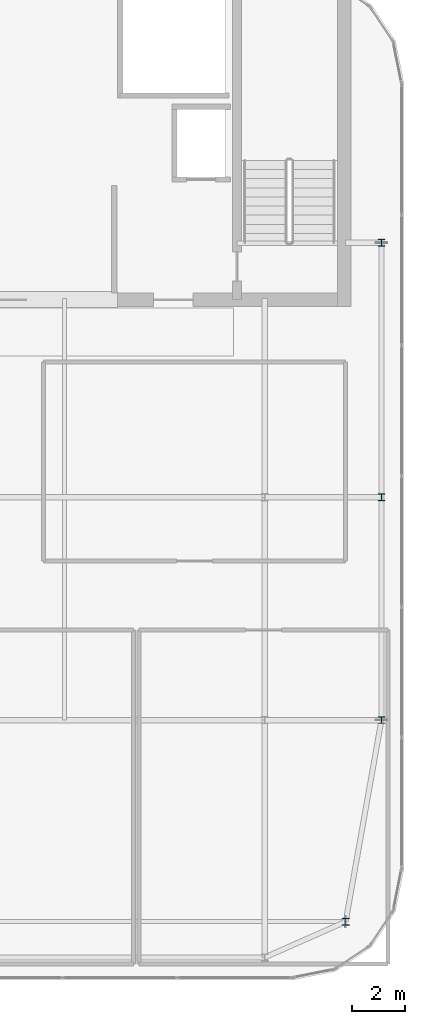
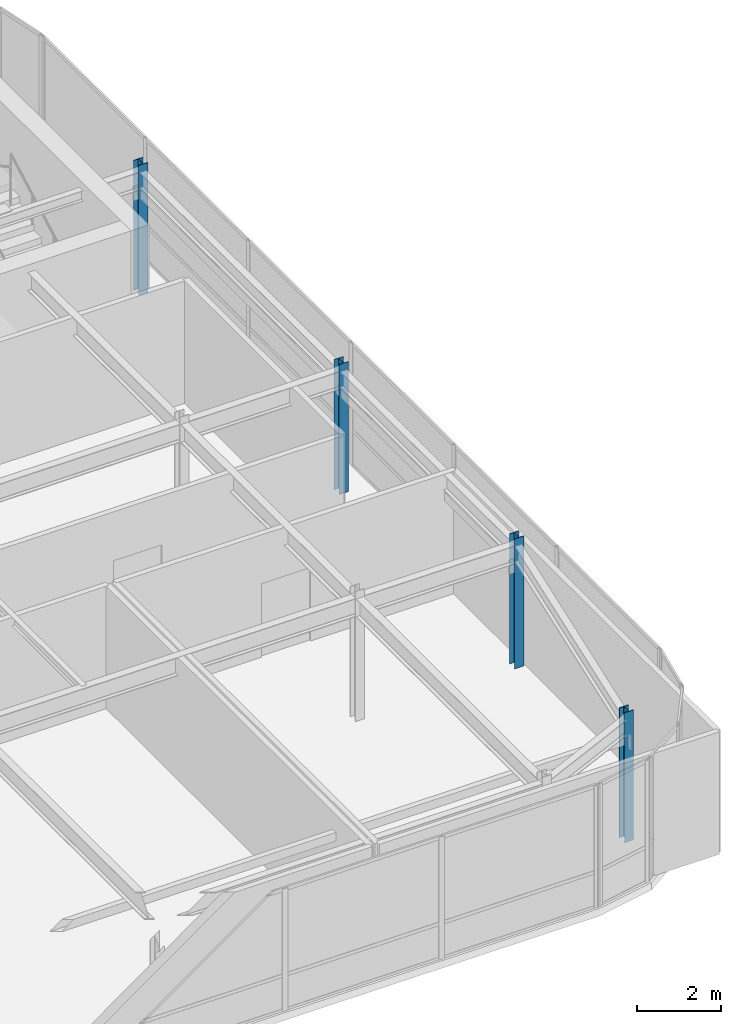
# One storey, part 3 of 36: 4 columns.
"""IFC4 building model written with IfcOpenShell, lengths in metres."""

from ifc_helpers import new_model, si_unit, direction, frame, origin, origin_2d, place, context, subcontext, project, spatial, i_section, extrude, source, transform, mapped, material, material_profile, profile_set, type_object, type_shapes, element, save


model = new_model("IFC4")

# Units and contexts
model_context = context("Model", 3, precision=1e-05, world=origin(), true_north=direction((0.0, 1.0)))
body_context = subcontext(model_context, "Body", "Model", "MODEL_VIEW")
ifc_project = project(units=[si_unit("LENGTHUNIT", "METRE"), si_unit("AREAUNIT", "SQUARE_METRE"), si_unit("VOLUMEUNIT", "CUBIC_METRE"), si_unit("PLANEANGLEUNIT", "RADIAN"), si_unit("MASSUNIT", "GRAM", prefix="KILO")], contexts=[model_context])

# Site, building, storey
site_placement = place(None, origin())
site = spatial("IfcSite", under=ifc_project, at=site_placement, CompositionType="ELEMENT")
building_placement = place(site_placement, origin())
building = spatial("IfcBuilding", under=site, at=building_placement, Name="Tolvann Quenvar Hotel", CompositionType="ELEMENT")
storey_placement = place(building_placement, frame((0.0, 0.0, 302.35009765625)))
storey = spatial("IfcBuildingStorey", under=building, at=storey_placement, Name="L80", CompositionType="ELEMENT", Elevation=302.35009765625)

# Columns
ifc_material = material(Name="Steel Grade 350", Category="steel")
ifc_material_profile = material_profile(ifc_material, i_section(OverallWidth=0.25390625, OverallDepth=0.25390625, WebThickness=0.008544921875, FlangeThickness=0.01416015625, FilletRadius=0.013916015625, at=origin_2d()), Name="250UC73")
ifc_profile_set = profile_set([ifc_material_profile], Name="Steel Grade 350")
column_type = type_object("IfcColumnType", Name="COL_250UC73", PredefinedType="COLUMN", material=ifc_profile_set)
shared_shape = source(origin(), body_context, "Body", "SweptSolid", [
    extrude(i_section(OverallWidth=0.25390625, OverallDepth=0.25390625, WebThickness=0.008544921875, FlangeThickness=0.01416015625, FilletRadius=0.013916015625, at=origin_2d()), origin(), (0.0, 0.0, 1.0), 3.7998046875),
])
type_shapes(column_type, [shared_shape])
for number, where, z_axis, x_axis, name in (
    (1, (35.800048828125, 8.39990234375, 0.0), (0.0, 0.0, 1.0), (1.0, 0.0, 0.0), "Column G2 (L80)"),
    (2, (37.14990234375, 16.0, 0.0), (0.0, 0.0, 1.0), (1.0, 0.0, 0.0), "Column G4 (L80)"),
    (3, (37.14990234375, 24.39990234375, 0.0), (0.0, 0.0, 1.0), (1.0, 0.0, 0.0), "Column G5 (L80)"),
    (4, (37.14990234375, 34.0, 0.0), (0.0, 0.0, 1.0), (1.0, 0.0, 0.0), "Column GD6 (L80)"),
):
    element("IfcColumn", number, at=place(storey_placement, frame(where, z_axis=z_axis, x_axis=x_axis)), inside=storey, type_object=column_type, Name=name, PredefinedType="COLUMN", context=body_context, shape_type="MappedRepresentation", body=[
        mapped(shared_shape, transform((0.0, 0.0, 0.0), x_axis=(1.0, 0.0, 0.0), y_axis=(0.0, 1.0, 0.0), z_axis=(0.0, 0.0, 1.0), scale=1.0)),
    ])

save(model, "model.ifc")
